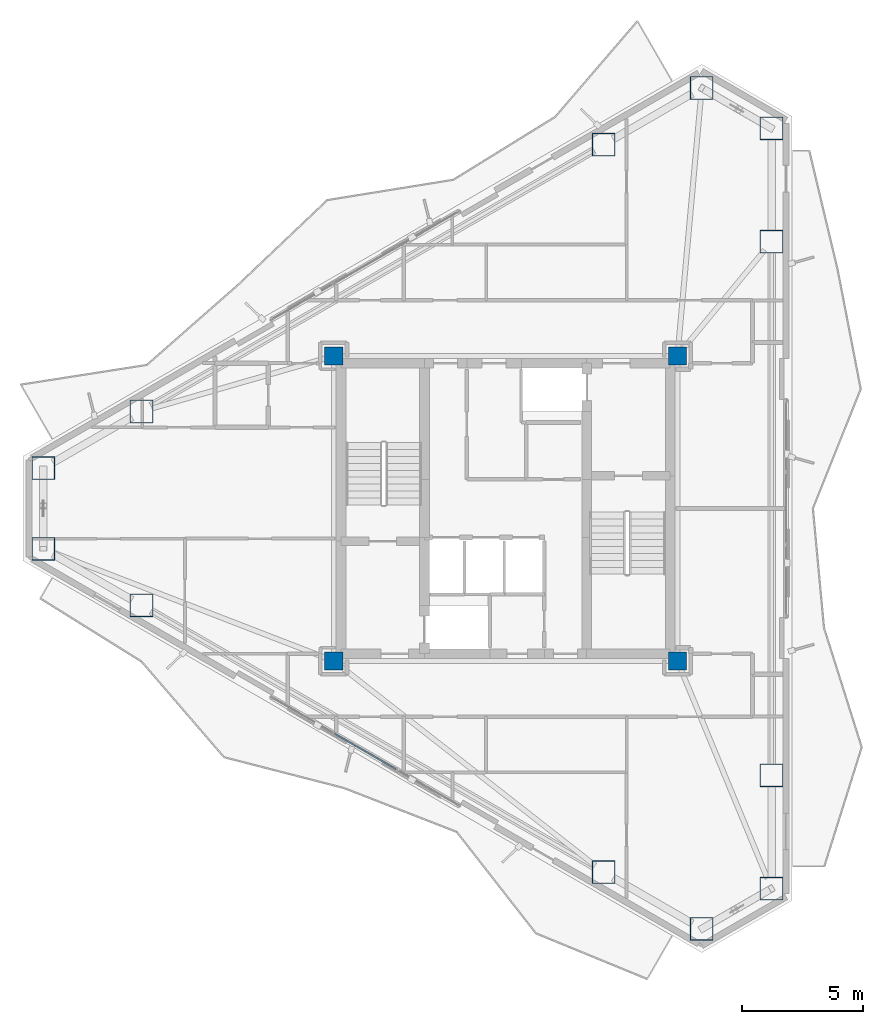
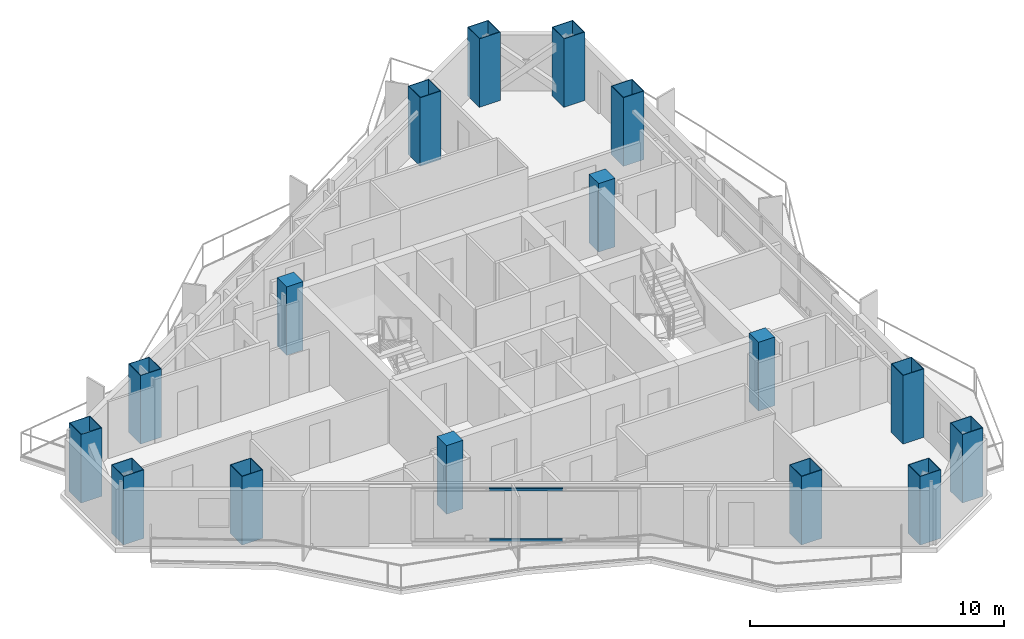
# One storey, part 1 of 21: 16 columns, 2 members, 1 element without a shape of its own.
"""IFC4 building model written with IfcOpenShell, lengths in metres."""

from ifc_helpers import new_model, si_unit, direction, frame, origin, origin_2d, place, context, subcontext, project, spatial, rectangle, hollow_rectangle, extrude, material, layer, layer_set, material_profile, profile_set, type_object, element, aggregate, save


model = new_model("IFC4")

# Units and contexts
model_context = context("Model", 3, precision=1e-05, world=origin(), true_north=direction((0.0, 1.0)))
body_context = subcontext(model_context, "Body", "Model", "MODEL_VIEW")
ifc_project = project(units=[si_unit("LENGTHUNIT", "METRE"), si_unit("AREAUNIT", "SQUARE_METRE"), si_unit("VOLUMEUNIT", "CUBIC_METRE"), si_unit("PLANEANGLEUNIT", "RADIAN"), si_unit("MASSUNIT", "GRAM", prefix="KILO")], contexts=[model_context])

# Site, building, storey
site_placement = place(None, origin())
site = spatial("IfcSite", under=ifc_project, at=site_placement, CompositionType="ELEMENT")
building_placement = place(site_placement, origin())
building = spatial("IfcBuilding", under=site, at=building_placement, Name="Mersakhor Tower and Convention Hall", CompositionType="ELEMENT")
storey_placement = place(building_placement, frame((0.0, 0.0, 185.39990234375)))
storey = spatial("IfcBuildingStorey", under=building, at=storey_placement, Name="L51", CompositionType="ELEMENT", Elevation=185.39990234375)

# Columns
ifc_material_1 = material(Name="Concrete C60/75 in S460M steel box", Category="concrete")
ifc_material_profile_1 = material_profile(ifc_material_1, hollow_rectangle(XDim=0.949951171875, YDim=0.949951171875, WallThickness=0.028076171875, at=origin_2d()), Name="SHS 950x950x28")
ifc_profile_set_1 = profile_set([ifc_material_profile_1], Name="Concrete C60/75 in S460M steel box")
column_type_1 = type_object("IfcColumnType", Name="COL-CFT-950", PredefinedType="COLUMN", material=ifc_profile_set_1)
for number, where, z_axis, x_axis, name in (
    (1, (9.907470703125, 28.415283203125, 0.0), (0.0, 0.0, 1.0), (1.0, 0.0, 0.0), "L51 Perimeter Mega-Column MC-01"),
    (2, (13.959716796875, 30.7548828125, 0.0), (0.0, 0.0, 1.0), (1.0, 0.0, 0.0), "L51 Perimeter Mega-Column MC-02"),
    (3, (33.0517578125, 41.777587890625, 0.0), (0.0, 0.0, 1.0), (1.0, 0.0, 0.0), "L51 Perimeter Mega-Column MC-03"),
    (4, (37.10400390625, 44.1171875, 0.0), (0.0, 0.0, 1.0), (1.0, 0.0, 0.0), "L51 Perimeter Mega-Column MC-04"),
    (5, (39.98828125, 42.451904296875, 0.0), (0.0, 0.0, 1.0), (1.0, 0.0, 0.0), "L51 Perimeter Mega-Column MC-05"),
    (6, (39.98828125, 37.772705078125, 0.0), (0.0, 0.0, 1.0), (1.0, 0.0, 0.0), "L51 Perimeter Mega-Column MC-06"),
    (7, (39.98828125, 15.727294921875, 0.0), (0.0, 0.0, 1.0), (1.0, 0.0, 0.0), "L51 Perimeter Mega-Column MC-07"),
    (8, (39.98828125, 11.048095703125, 0.0), (0.0, 0.0, 1.0), (1.0, 0.0, 0.0), "L51 Perimeter Mega-Column MC-08"),
    (9, (37.10400390625, 9.3828125, 0.0), (0.0, 0.0, 1.0), (1.0, 0.0, 0.0), "L51 Perimeter Mega-Column MC-09"),
    (10, (33.0517578125, 11.722412109375, 0.0), (0.0, 0.0, 1.0), (1.0, 0.0, 0.0), "L51 Perimeter Mega-Column MC-10"),
    (11, (13.959716796875, 22.7451171875, 0.0), (0.0, 0.0, 1.0), (1.0, 0.0, 0.0), "L51 Perimeter Mega-Column MC-11"),
    (12, (9.907470703125, 25.084716796875, 0.0), (0.0, 0.0, 1.0), (1.0, 0.0, 0.0), "L51 Perimeter Mega-Column MC-12"),
):
    element("IfcColumn", number, at=place(storey_placement, frame(where, z_axis=z_axis, x_axis=x_axis)), inside=storey, type_object=column_type_1, Name=name, PredefinedType="COLUMN", context=body_context, shape_type="SweptSolid", body=[
        extrude(hollow_rectangle(XDim=0.949951171875, YDim=0.949951171875, WallThickness=0.028076171875, at=origin_2d()), origin(), (0.0, 0.0, 1.0), 3.300048828125),
    ])
ifc_material_2 = material(Name="Concrete C50/60", Category="concrete")
ifc_material_profile_2 = material_profile(ifc_material_2, rectangle(XDim=0.75, YDim=0.75, at=origin_2d()), Name="RC 750x750")
ifc_profile_set_2 = profile_set([ifc_material_profile_2], Name="Concrete C50/60")
column_type_2 = type_object("IfcColumnType", Name="COL-RC-750", PredefinedType="COLUMN", material=ifc_profile_set_2)
for number, where, z_axis, x_axis, name in (
    (13, (21.89990234375, 20.449951171875, 0.0), (0.0, 0.0, 1.0), (1.0, 0.0, 0.0), "L51 Core Corner Column CC-1"),
    (14, (21.89990234375, 33.050048828125, 0.0), (0.0, 0.0, 1.0), (1.0, 0.0, 0.0), "L51 Core Corner Column CC-2"),
    (15, (36.10009765625, 33.050048828125, 0.0), (0.0, 0.0, 1.0), (1.0, 0.0, 0.0), "L51 Core Corner Column CC-3"),
    (16, (36.10009765625, 20.449951171875, 0.0), (0.0, 0.0, 1.0), (1.0, 0.0, 0.0), "L51 Core Corner Column CC-4"),
):
    element("IfcColumn", number, at=place(storey_placement, frame(where, z_axis=z_axis, x_axis=x_axis)), inside=storey, type_object=column_type_2, Name=name, PredefinedType="COLUMN", context=body_context, shape_type="SweptSolid", body=[
        extrude(rectangle(XDim=0.75, YDim=0.75, at=origin_2d()), origin(), (0.0, 0.0, 1.0), 3.300048828125),
    ])

# Curtain wall, members
ifc_material_3 = material(Name="Dark solar low-E aluminium curtain wall", Category="aluminium")
ifc_layer = layer(ifc_material_3, 0.169921875)
ifc_layer_set = layer_set([ifc_layer], Name="Dark solar low-E aluminium curtain wall")
curtain_wall_type = type_object("IfcCurtainWallType", Name="CW-SYS-02", PredefinedType="USERDEFINED", material=ifc_layer_set)
curtain_wall_placement = place(storey_placement, origin())
curtain_wall = element("IfcCurtainWall", 17, at=curtain_wall_placement, inside=storey, type_object=curtain_wall_type, Name="L51 Dark-Glass Curtain Wall F3-B2", ObjectType="CURTAIN WALL", PredefinedType="USERDEFINED")
ifc_material_4 = material(Name="Anodised aluminium EN AW-6063 T6", Category="aluminium")
ifc_material_profile_3 = material_profile(ifc_material_4, hollow_rectangle(XDim=0.06005859375, YDim=0.1201171875, WallThickness=0.0048828125, at=origin_2d()), Name="RHS 120x60x5")
ifc_profile_set_3 = profile_set([ifc_material_profile_3], Name="Anodised aluminium EN AW-6063 T6")
member_type = type_object("IfcMemberType", Name="CWT-120x60", PredefinedType="USERDEFINED", material=ifc_profile_set_3)
member_1_placement = place(storey_placement, frame((24.47216796875, 15.98291015625, 0.22998046875), z_axis=(-0.866004860328, 0.500035580622, 0.0), x_axis=(-0.500035580622, -0.866004860328, 0.0)))
member_1 = element("IfcMember", 18, at=member_1_placement, type_object=member_type, Name="CW-02 transom 2.1", ObjectType="TRANSOM", PredefinedType="USERDEFINED", context=body_context, shape_type="SweptSolid", body=[
    extrude(hollow_rectangle(XDim=0.06005859375, YDim=0.1201171875, WallThickness=0.0048828125, at=origin_2d()), origin(), (0.0, 0.0, 1.0), 2.924560546875),
])
member_2_placement = place(storey_placement, frame((24.47216796875, 15.98291015625, 2.66015625), z_axis=(-0.866004860328, 0.500035580622, 0.0), x_axis=(-0.500035580622, -0.866004860328, 0.0)))
member_2 = element("IfcMember", 19, at=member_2_placement, type_object=member_type, Name="CW-02 transom 2.2", ObjectType="TRANSOM", PredefinedType="USERDEFINED", context=body_context, shape_type="SweptSolid", body=[
    extrude(hollow_rectangle(XDim=0.06005859375, YDim=0.1201171875, WallThickness=0.0048828125, at=origin_2d()), origin(), (0.0, 0.0, 1.0), 2.924560546875),
])
aggregate(curtain_wall, [member_1, member_2])

save(model, "model.ifc")
